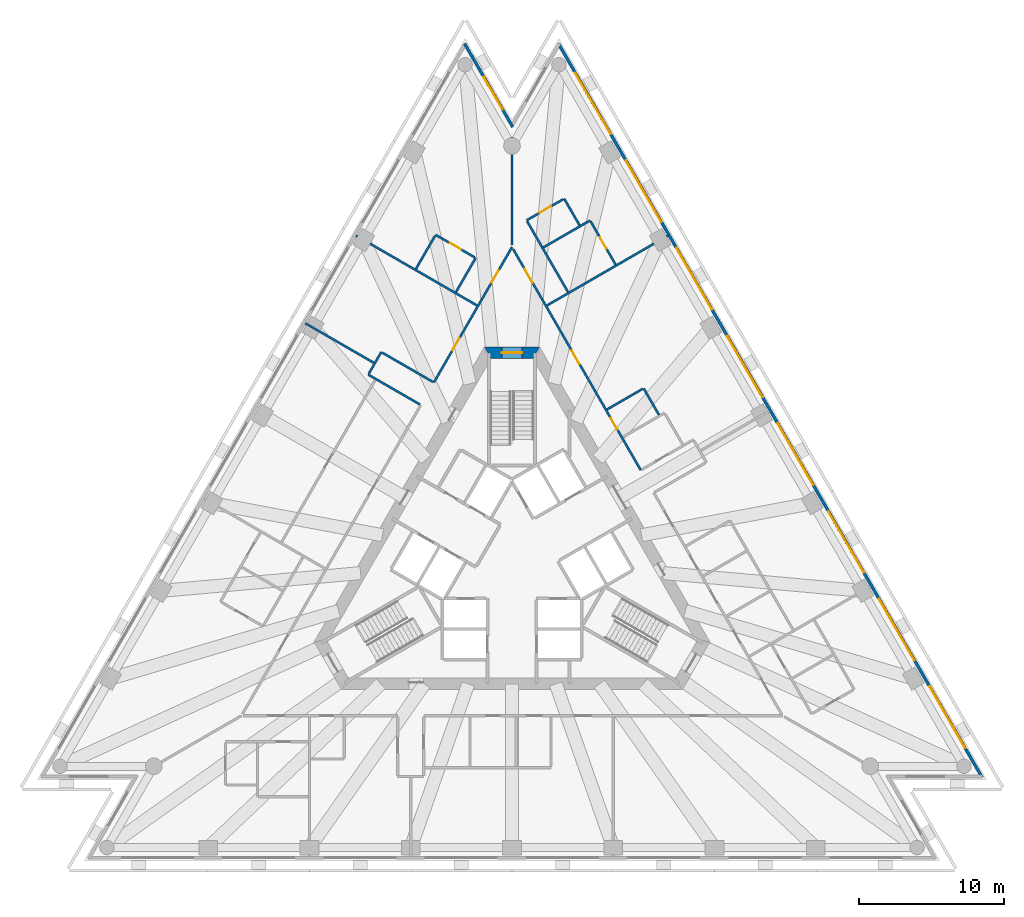
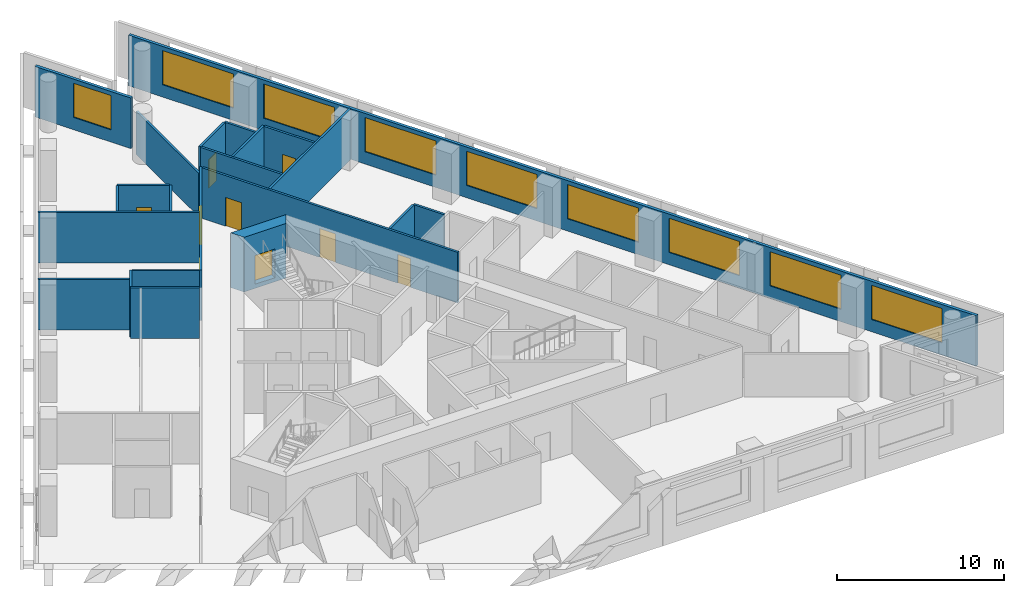
# One storey, part 7 of 10: 22 walls, 9 doors, 9 windows, 18 openings.
"""IFC4 building model written with IfcOpenShell, lengths in metres."""

from ifc_helpers import new_model, si_unit, direction, frame, frame_2d, origin, place, context, subcontext, project, spatial, polyline, rectangle, outline, extrude, material, layer, layer_set, layer_usage, type_object, element, fill, save


model = new_model("IFC4")

# Units and contexts
model_context = context("Model", 3, precision=1e-05, world=origin(), true_north=direction((0.0, 1.0)))
body_context = subcontext(model_context, "Body", "Model", "MODEL_VIEW")
ifc_project = project(units=[si_unit("LENGTHUNIT", "METRE"), si_unit("AREAUNIT", "SQUARE_METRE"), si_unit("VOLUMEUNIT", "CUBIC_METRE"), si_unit("PLANEANGLEUNIT", "RADIAN"), si_unit("MASSUNIT", "GRAM", prefix="KILO")], contexts=[model_context])

# Site, building, storey
site_placement = place(None, origin())
site = spatial("IfcSite", under=ifc_project, at=site_placement, CompositionType="ELEMENT")
building_placement = place(site_placement, origin())
building = spatial("IfcBuilding", under=site, at=building_placement, Name="Triada Interchange Tower", CompositionType="ELEMENT")
storey_placement = place(building_placement, frame((0.0, 0.0, 108.300048828125)))
storey = spatial("IfcBuildingStorey", under=building, at=storey_placement, Name="L24", CompositionType="ELEMENT", Elevation=108.300048828125)

# Wall, opening, door
ifc_material_1 = material(Name="Concrete C60/75", Category="concrete")
ifc_layer_1 = layer(ifc_material_1, 0.800048828125)
ifc_layer_set_1 = layer_set([ifc_layer_1], Name="Core wall B 800")
wall_type_1 = type_object("IfcWallType", Name="Core wall B 800", PredefinedType="SHEAR", material=ifc_layer_set_1)
wall_1_placement = place(storey_placement, frame((1.674072265625, 14.300048828125, -0.300048828125), z_axis=(0.0, 0.0, 1.0), x_axis=(-1.0, 0.0, 0.0)))
wall_1 = element("IfcWall", 1, at=wall_1_placement, inside=storey, type_object=wall_type_1, Name="Core wall WB01 L24", PredefinedType="SHEAR", context=body_context, shape_type="SweptSolid", body=[
    extrude(outline(polyline([(-0.23095703125, -0.39990234375), (1.674072265625, -0.39990234375), (3.5791015625, -0.39990234375), (3.116943359375, 0.39990234375), (1.673828125, 0.39990234375), (0.23095703125, 0.39990234375), (-0.23095703125, -0.39990234375)])), origin(), (0.0, 0.0, 1.0), 4.0),
])
opening_1_placement = place(wall_1_placement, frame((0.97412109375, 0.0, 0.300048828125)))
opening_1 = element("IfcOpeningElement", 2, at=opening_1_placement, cuts=wall_1, Name="Opening D23-43", PredefinedType="OPENING", context=body_context, shape_type="SweptSolid", body=[
    extrude(rectangle(XDim=1.39990234375, YDim=2.10009765625, at=frame_2d((0.699951171875, 1.050048828125))), frame((0.0, 0.409912109375, 0.0), z_axis=(0.0, -1.0, 0.0), x_axis=(1.0, 0.0, 0.0)), (0.0, 0.0, 1.0), 0.820068359375),
])
ifc_material_2 = material(Name="Steel S235 door leaf", Category="steel")
door_type_1 = type_object("IfcDoorType", Name="STAIR DOOR 1400 EI2 90-C5S200", OperationType="DOUBLE_DOOR_SINGLE_SWING", PredefinedType="DOOR", material=ifc_material_2)
door_1_placement = place(opening_1_placement, origin())
door_1 = element("IfcDoor", 3, at=door_1_placement, inside=storey, type_object=door_type_1, Name="Door D23-43 L24", OperationType="DOUBLE_DOOR_SINGLE_SWING", OverallHeight=2.10009765625, OverallWidth=1.39990234375, PredefinedType="DOOR", context=body_context, shape_type="SweptSolid", body=[
    extrude(rectangle(XDim=1.39990234375, YDim=2.10009765625, at=frame_2d((0.699951171875, 1.050048828125))), frame((0.0, 0.02490234375, 0.0), z_axis=(0.0, -1.0, 0.0), x_axis=(1.0, 0.0, 0.0)), (0.0, 0.0, 1.0), 0.050048828125),
])
fill(opening_1, door_1)

# Wall, openings, windows
ifc_material_3 = material(Name="Cement board")
ifc_layer_2 = layer(ifc_material_3, 0.02001953125, Name="Cement board cladding")
ifc_material_4 = material(Name="Sheathing board")
ifc_layer_3 = layer(ifc_material_4, 0.014892578125, Name="Sheathing board")
ifc_material_5 = material(Name="Mineral wool")
ifc_layer_4 = layer(ifc_material_5, 0.14990234375, Name="Mineral wool between steel studs")
ifc_material_6 = material(Name="Gypsum board")
ifc_layer_5 = layer(ifc_material_6, 0.014892578125, Name="Plasterboard lining")
ifc_layer_set_2 = layer_set([ifc_layer_2, ifc_layer_3, ifc_layer_4, ifc_layer_5], Name="External wall 200")
ifc_layer_usage = layer_usage(ifc_layer_set_2, "AXIS2", "POSITIVE", -0.10009765625)
wall_type_2 = type_object("IfcWallType", Name="External wall 200", PredefinedType="ELEMENTEDWALL", material=ifc_layer_set_2)
wall_2_placement = place(storey_placement, frame((32.510009765625, -15.073974609375, 0.0), z_axis=(0.0, 0.0, 1.0), x_axis=(-0.500008323105, 0.866020598384, 0.0)))
wall_2 = element("IfcWall", 4, at=wall_2_placement, inside=storey, type_object=wall_type_2, material=ifc_layer_usage, Name="External wall L24 NE", PredefinedType="ELEMENTEDWALL", context=body_context, shape_type="SweptSolid", body=[
    extrude(rectangle(XDim=58.59912109375, YDim=0.199951171875, at=frame_2d((29.299560546875, 0.0))), origin(), (0.0, 0.0, 1.0), 3.699951171875),
])
opening_2_placement = place(wall_2_placement, frame((2.35400390625, 0.0, 0.89990234375)))
opening_2 = element("IfcOpeningElement", 5, at=opening_2_placement, cuts=wall_2, Name="Opening WB21", PredefinedType="OPENING", context=body_context, shape_type="SweptSolid", body=[
    extrude(rectangle(XDim=4.89990234375, YDim=2.5, at=frame_2d((2.449951171875, 1.25))), frame((0.0, 0.10986328125, 0.0), z_axis=(0.0, -1.0, 0.0), x_axis=(1.0, 0.0, 0.0)), (0.0, 0.0, 1.0), 0.219970703125),
])
opening_3_placement = place(wall_2_placement, frame((9.35498046875, 0.0, 0.89990234375)))
opening_3 = element("IfcOpeningElement", 6, at=opening_3_placement, cuts=wall_2, Name="Opening WB22", PredefinedType="OPENING", context=body_context, shape_type="SweptSolid", body=[
    extrude(rectangle(XDim=4.89990234375, YDim=2.5, at=frame_2d((2.449951171875, 1.25))), frame((0.0, 0.10986328125, 0.0), z_axis=(0.0, -1.0, 0.0), x_axis=(1.0, 0.0, 0.0)), (0.0, 0.0, 1.0), 0.219970703125),
])
opening_4_placement = place(wall_2_placement, frame((16.35693359375, 0.0, 0.89990234375)))
opening_4 = element("IfcOpeningElement", 7, at=opening_4_placement, cuts=wall_2, Name="Opening WB23", PredefinedType="OPENING", context=body_context, shape_type="SweptSolid", body=[
    extrude(rectangle(XDim=4.89990234375, YDim=2.5, at=frame_2d((2.449951171875, 1.25))), frame((0.0, 0.10986328125, 0.0), z_axis=(0.0, -1.0, 0.0), x_axis=(1.0, 0.0, 0.0)), (0.0, 0.0, 1.0), 0.219970703125),
])
opening_5_placement = place(wall_2_placement, frame((23.35888671875, 0.0, 0.89990234375)))
opening_5 = element("IfcOpeningElement", 8, at=opening_5_placement, cuts=wall_2, Name="Opening WB24", PredefinedType="OPENING", context=body_context, shape_type="SweptSolid", body=[
    extrude(rectangle(XDim=4.89990234375, YDim=2.5, at=frame_2d((2.449951171875, 1.25))), frame((0.0, 0.10986328125, 0.0), z_axis=(0.0, -1.0, 0.0), x_axis=(1.0, 0.0, 0.0)), (0.0, 0.0, 1.0), 0.219970703125),
])
opening_6_placement = place(wall_2_placement, frame((30.360107421875, 0.0, 0.89990234375)))
opening_6 = element("IfcOpeningElement", 9, at=opening_6_placement, cuts=wall_2, Name="Opening WB25", PredefinedType="OPENING", context=body_context, shape_type="SweptSolid", body=[
    extrude(rectangle(XDim=4.89990234375, YDim=2.5, at=frame_2d((2.449951171875, 1.25))), frame((0.0, 0.10986328125, 0.0), z_axis=(0.0, -1.0, 0.0), x_axis=(1.0, 0.0, 0.0)), (0.0, 0.0, 1.0), 0.219970703125),
])
opening_7_placement = place(wall_2_placement, frame((37.362060546875, 0.0, 0.89990234375)))
opening_7 = element("IfcOpeningElement", 10, at=opening_7_placement, cuts=wall_2, Name="Opening WB26", PredefinedType="OPENING", context=body_context, shape_type="SweptSolid", body=[
    extrude(rectangle(XDim=4.89990234375, YDim=2.5, at=frame_2d((2.449951171875, 1.25))), frame((0.0, 0.10986328125, 0.0), z_axis=(0.0, -1.0, 0.0), x_axis=(1.0, 0.0, 0.0)), (0.0, 0.0, 1.0), 0.219970703125),
])
opening_8_placement = place(wall_2_placement, frame((44.364013671875, 0.0, 0.89990234375)))
opening_8 = element("IfcOpeningElement", 11, at=opening_8_placement, cuts=wall_2, Name="Opening WB27", PredefinedType="OPENING", context=body_context, shape_type="SweptSolid", body=[
    extrude(rectangle(XDim=4.89990234375, YDim=2.5, at=frame_2d((2.449951171875, 1.25))), frame((0.0, 0.10986328125, 0.0), z_axis=(0.0, -1.0, 0.0), x_axis=(1.0, 0.0, 0.0)), (0.0, 0.0, 1.0), 0.219970703125),
])
opening_9_placement = place(wall_2_placement, frame((51.364990234375, 0.0, 0.89990234375)))
opening_9 = element("IfcOpeningElement", 12, at=opening_9_placement, cuts=wall_2, Name="Opening WB28", PredefinedType="OPENING", context=body_context, shape_type="SweptSolid", body=[
    extrude(rectangle(XDim=4.89990234375, YDim=2.5, at=frame_2d((2.449951171875, 1.25))), frame((0.0, 0.10986328125, 0.0), z_axis=(0.0, -1.0, 0.0), x_axis=(1.0, 0.0, 0.0)), (0.0, 0.0, 1.0), 0.219970703125),
])
ifc_material_7 = material(Name="Double glazed aluminium window", Category="aluminium")
window_type_1 = type_object("IfcWindowType", Name="Ribbon window B face", PartitioningType="SINGLE_PANEL", PredefinedType="WINDOW", material=ifc_material_7)
window_1_placement = place(opening_2_placement, origin())
window_1 = element("IfcWindow", 13, at=window_1_placement, inside=storey, type_object=window_type_1, Name="Window L24 NE 1", OverallHeight=2.5, OverallWidth=4.89990234375, PartitioningType="SINGLE_PANEL", PredefinedType="WINDOW", context=body_context, shape_type="SweptSolid", body=[
    extrude(rectangle(XDim=4.89990234375, YDim=2.5, at=frame_2d((2.449951171875, 1.25))), frame((0.0, 0.030029296875, 0.0), z_axis=(0.0, -1.0, 0.0), x_axis=(1.0, 0.0, 0.0)), (0.0, 0.0, 1.0), 0.06005859375),
])
fill(opening_2, window_1)
window_2_placement = place(opening_3_placement, origin())
window_2 = element("IfcWindow", 14, at=window_2_placement, inside=storey, type_object=window_type_1, Name="Window L24 NE 2", OverallHeight=2.5, OverallWidth=4.89990234375, PartitioningType="SINGLE_PANEL", PredefinedType="WINDOW", context=body_context, shape_type="SweptSolid", body=[
    extrude(rectangle(XDim=4.89990234375, YDim=2.5, at=frame_2d((2.449951171875, 1.25))), frame((0.0, 0.030029296875, 0.0), z_axis=(0.0, -1.0, 0.0), x_axis=(1.0, 0.0, 0.0)), (0.0, 0.0, 1.0), 0.06005859375),
])
fill(opening_3, window_2)
window_3_placement = place(opening_4_placement, origin())
window_3 = element("IfcWindow", 15, at=window_3_placement, inside=storey, type_object=window_type_1, Name="Window L24 NE 3", OverallHeight=2.5, OverallWidth=4.89990234375, PartitioningType="SINGLE_PANEL", PredefinedType="WINDOW", context=body_context, shape_type="SweptSolid", body=[
    extrude(rectangle(XDim=4.89990234375, YDim=2.5, at=frame_2d((2.449951171875, 1.25))), frame((0.0, 0.030029296875, 0.0), z_axis=(0.0, -1.0, 0.0), x_axis=(1.0, 0.0, 0.0)), (0.0, 0.0, 1.0), 0.06005859375),
])
fill(opening_4, window_3)
window_4_placement = place(opening_5_placement, origin())
window_4 = element("IfcWindow", 16, at=window_4_placement, inside=storey, type_object=window_type_1, Name="Window L24 NE 4", OverallHeight=2.5, OverallWidth=4.89990234375, PartitioningType="SINGLE_PANEL", PredefinedType="WINDOW", context=body_context, shape_type="SweptSolid", body=[
    extrude(rectangle(XDim=4.89990234375, YDim=2.5, at=frame_2d((2.449951171875, 1.25))), frame((0.0, 0.030029296875, 0.0), z_axis=(0.0, -1.0, 0.0), x_axis=(1.0, 0.0, 0.0)), (0.0, 0.0, 1.0), 0.06005859375),
])
fill(opening_5, window_4)
window_5_placement = place(opening_6_placement, origin())
window_5 = element("IfcWindow", 17, at=window_5_placement, inside=storey, type_object=window_type_1, Name="Window L24 NE 5", OverallHeight=2.5, OverallWidth=4.89990234375, PartitioningType="SINGLE_PANEL", PredefinedType="WINDOW", context=body_context, shape_type="SweptSolid", body=[
    extrude(rectangle(XDim=4.89990234375, YDim=2.5, at=frame_2d((2.449951171875, 1.25))), frame((0.0, 0.030029296875, 0.0), z_axis=(0.0, -1.0, 0.0), x_axis=(1.0, 0.0, 0.0)), (0.0, 0.0, 1.0), 0.06005859375),
])
fill(opening_6, window_5)
window_6_placement = place(opening_7_placement, origin())
window_6 = element("IfcWindow", 18, at=window_6_placement, inside=storey, type_object=window_type_1, Name="Window L24 NE 6", OverallHeight=2.5, OverallWidth=4.89990234375, PartitioningType="SINGLE_PANEL", PredefinedType="WINDOW", context=body_context, shape_type="SweptSolid", body=[
    extrude(rectangle(XDim=4.89990234375, YDim=2.5, at=frame_2d((2.449951171875, 1.25))), frame((0.0, 0.030029296875, 0.0), z_axis=(0.0, -1.0, 0.0), x_axis=(1.0, 0.0, 0.0)), (0.0, 0.0, 1.0), 0.06005859375),
])
fill(opening_7, window_6)
window_7_placement = place(opening_8_placement, origin())
window_7 = element("IfcWindow", 19, at=window_7_placement, inside=storey, type_object=window_type_1, Name="Window L24 NE 7", OverallHeight=2.5, OverallWidth=4.89990234375, PartitioningType="SINGLE_PANEL", PredefinedType="WINDOW", context=body_context, shape_type="SweptSolid", body=[
    extrude(rectangle(XDim=4.89990234375, YDim=2.5, at=frame_2d((2.449951171875, 1.25))), frame((0.0, 0.030029296875, 0.0), z_axis=(0.0, -1.0, 0.0), x_axis=(1.0, 0.0, 0.0)), (0.0, 0.0, 1.0), 0.06005859375),
])
fill(opening_8, window_7)
window_8_placement = place(opening_9_placement, origin())
window_8 = element("IfcWindow", 20, at=window_8_placement, inside=storey, type_object=window_type_1, Name="Window L24 NE 8", OverallHeight=2.5, OverallWidth=4.89990234375, PartitioningType="SINGLE_PANEL", PredefinedType="WINDOW", context=body_context, shape_type="SweptSolid", body=[
    extrude(rectangle(XDim=4.89990234375, YDim=2.5, at=frame_2d((2.449951171875, 1.25))), frame((0.0, 0.030029296875, 0.0), z_axis=(0.0, -1.0, 0.0), x_axis=(1.0, 0.0, 0.0)), (0.0, 0.0, 1.0), 0.06005859375),
])
fill(opening_9, window_8)

# Wall, opening, window
wall_3_placement = place(storey_placement, frame((0.044921875, 29.9150390625, 0.0), z_axis=(0.0, 0.0, 1.0), x_axis=(-0.49999681972, 0.866027239912, 0.0)))
wall_3 = element("IfcWall", 21, at=wall_3_placement, inside=storey, type_object=wall_type_2, material=ifc_layer_usage, Name="External wall L24 N-2", PredefinedType="ELEMENTEDWALL", context=body_context, shape_type="SweptSolid", body=[
    extrude(rectangle(XDim=6.64990234375, YDim=0.199951171875, at=frame_2d((3.324951171875, 0.0))), origin(), (0.0, 0.0, 1.0), 3.699951171875),
])
opening_10_placement = place(wall_3_placement, frame((1.389892578125, 0.0, 0.89990234375)))
opening_10 = element("IfcOpeningElement", 22, at=opening_10_placement, cuts=wall_3, Name="Opening WB30", PredefinedType="OPENING", context=body_context, shape_type="SweptSolid", body=[
    extrude(rectangle(XDim=2.60009765625, YDim=2.5, at=frame_2d((1.300048828125, 1.25))), frame((0.0, 0.10986328125, 0.0), z_axis=(0.0, -1.0, 0.0), x_axis=(1.0, 0.0, 0.0)), (0.0, 0.0, 1.0), 0.219970703125),
])
window_type_2 = type_object("IfcWindowType", Name="Ribbon window B pocket", PartitioningType="SINGLE_PANEL", PredefinedType="WINDOW", material=ifc_material_7)
window_9_placement = place(opening_10_placement, origin())
window_9 = element("IfcWindow", 23, at=window_9_placement, inside=storey, type_object=window_type_2, Name="Window L24 N-2 1", OverallHeight=2.5, OverallWidth=2.60009765625, PartitioningType="SINGLE_PANEL", PredefinedType="WINDOW", context=body_context, shape_type="SweptSolid", body=[
    extrude(rectangle(XDim=2.60009765625, YDim=2.5, at=frame_2d((1.300048828125, 1.25))), frame((0.0, 0.030029296875, 0.0), z_axis=(0.0, -1.0, 0.0), x_axis=(1.0, 0.0, 0.0)), (0.0, 0.0, 1.0), 0.06005859375),
])
fill(opening_10, window_9)

# Wall, openings, doors
ifc_material_8 = material(Name="Gypsum board partition")
ifc_layer_6 = layer(ifc_material_8, 0.14990234375)
ifc_layer_set_3 = layer_set([ifc_layer_6], Name="PARTITION 150 EI 180")
wall_type_3 = type_object("IfcWallType", Name="PARTITION 150 EI 180", PredefinedType="PARTITIONING", material=ifc_layer_set_3)
wall_4_placement = place(storey_placement, frame((-5.402099609375, 12.243896484375, 0.0), z_axis=(0.0, 0.0, 1.0), x_axis=(0.500020433321, 0.86601360628, 0.0)))
wall_4 = element("IfcWall", 24, at=wall_4_placement, inside=storey, type_object=wall_type_3, Name="Wall L23 7", PredefinedType="PARTITIONING", context=body_context, shape_type="SweptSolid", body=[
    extrude(rectangle(XDim=10.8037109375, YDim=0.14990234375, at=frame_2d((5.40185546875, 0.0))), origin(), (0.0, 0.0, 1.0), 3.699951171875),
])
opening_11_placement = place(wall_4_placement, frame((7.9541015625, 0.0, 0.0)))
opening_11 = element("IfcOpeningElement", 25, at=opening_11_placement, cuts=wall_4, Name="Opening D23-34", PredefinedType="OPENING", context=body_context, shape_type="SweptSolid", body=[
    extrude(rectangle(XDim=1.0, YDim=2.10009765625, at=frame_2d((0.5, 1.050048828125))), frame((0.0, 0.0849609375, 0.0), z_axis=(0.0, -1.0, 0.0), x_axis=(1.0, 0.0, 0.0)), (0.0, 0.0, 1.0), 0.169921875),
])
opening_12_placement = place(wall_4_placement, frame((2.551025390625, 0.0, 0.0)))
opening_12 = element("IfcOpeningElement", 26, at=opening_12_placement, cuts=wall_4, Name="Opening D23-36", PredefinedType="OPENING", context=body_context, shape_type="SweptSolid", body=[
    extrude(rectangle(XDim=1.0, YDim=2.10009765625, at=frame_2d((0.5, 1.050048828125))), frame((0.0, 0.0849609375, 0.0), z_axis=(0.0, -1.0, 0.0), x_axis=(1.0, 0.0, 0.0)), (0.0, 0.0, 1.0), 0.169921875),
])
door_type_2 = type_object("IfcDoorType", Name="ROOM DOOR 1000 EI2 90-C5S200", OperationType="NOTDEFINED", PredefinedType="DOOR", material=ifc_material_2)
door_2_placement = place(opening_11_placement, origin())
door_2 = element("IfcDoor", 27, at=door_2_placement, inside=storey, type_object=door_type_2, Name="Door D23-34 L24", OperationType="SINGLE_SWING_RIGHT", OverallHeight=2.10009765625, OverallWidth=1.0, PredefinedType="DOOR", context=body_context, shape_type="SweptSolid", body=[
    extrude(rectangle(XDim=1.0, YDim=2.10009765625, at=frame_2d((0.5, 1.050048828125))), frame((0.0, 0.02490234375, 0.0), z_axis=(0.0, -1.0, 0.0), x_axis=(1.0, 0.0, 0.0)), (0.0, 0.0, 1.0), 0.050048828125),
])
fill(opening_11, door_2)
door_3_placement = place(opening_12_placement, origin())
door_3 = element("IfcDoor", 28, at=door_3_placement, inside=storey, type_object=door_type_2, Name="Door D23-36 L24", OperationType="SINGLE_SWING_LEFT", OverallHeight=2.10009765625, OverallWidth=1.0, PredefinedType="DOOR", context=body_context, shape_type="SweptSolid", body=[
    extrude(rectangle(XDim=1.0, YDim=2.10009765625, at=frame_2d((0.5, 1.050048828125))), frame((0.0, 0.02490234375, 0.0), z_axis=(0.0, -1.0, 0.0), x_axis=(1.0, 0.0, 0.0)), (0.0, 0.0, 1.0), 0.050048828125),
])
fill(opening_12, door_3)

# Walls
wall_5_placement = place(storey_placement, frame((-14.284912109375, 16.33203125, 0.0), z_axis=(0.0, 0.0, 1.0), x_axis=(0.86601735395, -0.500013942463, 0.0)))
element("IfcWall", 29, at=wall_5_placement, inside=storey, type_object=wall_type_3, Name="Wall L23 8", PredefinedType="PARTITIONING", context=body_context, shape_type="SweptSolid", body=[
    extrude(rectangle(XDim=5.461669921875, YDim=0.14990234375, at=frame_2d((2.73095703125, 0.0))), origin(), (0.0, 0.0, 1.0), 3.699951171875),
])
wall_6_placement = place(storey_placement, frame((-9.93994140625, 12.783935546875, 0.0), z_axis=(0.0, 0.0, 1.0), x_axis=(0.866056461986, -0.499946201759, 0.0)))
element("IfcWall", 30, at=wall_6_placement, inside=storey, type_object=wall_type_3, Name="Wall L23 12", PredefinedType="PARTITIONING", context=body_context, shape_type="SweptSolid", body=[
    extrude(rectangle(XDim=4.12451171875, YDim=0.14990234375, at=frame_2d((2.062255859375, 0.0))), origin(), (0.0, 0.0, 1.0), 3.699951171875),
])
wall_7_placement = place(storey_placement, frame((-9.902099609375, 12.84912109375, 0.0), z_axis=(0.0, 0.0, 1.0), x_axis=(0.499808228569, 0.866136094765, 0.0)))
element("IfcWall", 31, at=wall_7_placement, inside=storey, type_object=wall_type_3, Name="Wall L23 13", PredefinedType="PARTITIONING", context=body_context, shape_type="SweptSolid", body=[
    extrude(rectangle(XDim=1.724853515625, YDim=0.14990234375, at=frame_2d((0.8623046875, 0.0))), origin(), (0.0, 0.0, 1.0), 3.699951171875),
])
wall_8_placement = place(storey_placement, frame((-10.783935546875, 22.39599609375, 0.0), z_axis=(0.0, 0.0, 1.0), x_axis=(0.86603284879, -0.49998710465, 0.0)))
element("IfcWall", 32, at=wall_8_placement, inside=storey, type_object=wall_type_3, Name="Wall L23 16", PredefinedType="PARTITIONING", context=body_context, shape_type="SweptSolid", body=[
    extrude(rectangle(XDim=9.662353515625, YDim=0.14990234375, at=frame_2d((4.8310546875, 0.0))), origin(), (0.0, 0.0, 1.0), 3.699951171875),
])
wall_9_placement = place(storey_placement, frame((-8.97509765625, 14.304931640625, 0.0), z_axis=(0.0, 0.0, 1.0), x_axis=(0.866120332886, -0.499835541916, 0.0)))
element("IfcWall", 33, at=wall_9_placement, inside=storey, type_object=wall_type_3, Name="Wall L23 17", PredefinedType="PARTITIONING", context=body_context, shape_type="SweptSolid", body=[
    extrude(rectangle(XDim=4.049072265625, YDim=0.14990234375, at=frame_2d((2.0244140625, 0.0))), origin(), (0.0, 0.0, 1.0), 3.699951171875),
])
wall_10_placement = place(storey_placement, frame((0.0, 21.75, 0.0), z_axis=(0.0, 0.0, 1.0), x_axis=(0.0, 1.0, 0.0)))
element("IfcWall", 34, at=wall_10_placement, inside=storey, type_object=wall_type_3, Name="Wall L23 22", PredefinedType="PARTITIONING", context=body_context, shape_type="SweptSolid", body=[
    extrude(rectangle(XDim=7.462890625, YDim=0.14990234375, at=frame_2d((3.7314453125, 0.0))), origin(), (0.0, 0.0, 1.0), 3.14990234375),
])

# Wall, openings, doors
wall_11_placement = place(storey_placement, frame((0.075927734375, 21.468017578125, 0.0), z_axis=(0.0, 0.0, 1.0), x_axis=(0.500024127084, -0.866011473558, 0.0)))
wall_11 = element("IfcWall", 35, at=wall_11_placement, inside=storey, type_object=wall_type_3, Name="Wall L23 23", PredefinedType="PARTITIONING", context=body_context, shape_type="SweptSolid", body=[
    extrude(rectangle(XDim=17.653564453125, YDim=0.14990234375, at=frame_2d((8.82666015625, 0.0))), origin(), (0.0, 0.0, 1.0), 3.699951171875),
])
opening_13_placement = place(wall_11_placement, frame((8.10400390625, 0.0, 0.0)))
opening_13 = element("IfcOpeningElement", 36, at=opening_13_placement, cuts=wall_11, Name="Opening D23-28", PredefinedType="OPENING", context=body_context, shape_type="SweptSolid", body=[
    extrude(rectangle(XDim=1.10009765625, YDim=2.10009765625, at=frame_2d((0.550048828125, 1.050048828125))), frame((0.0, 0.0849609375, 0.0), z_axis=(0.0, -1.0, 0.0), x_axis=(1.0, 0.0, 0.0)), (0.0, 0.0, 1.0), 0.169921875),
])
opening_14_placement = place(wall_11_placement, frame((13.50390625, 0.0, 0.0)))
opening_14 = element("IfcOpeningElement", 37, at=opening_14_placement, cuts=wall_11, Name="Opening D23-30", PredefinedType="OPENING", context=body_context, shape_type="SweptSolid", body=[
    extrude(rectangle(XDim=0.89990234375, YDim=2.10009765625, at=frame_2d((0.449951171875, 1.050048828125))), frame((0.0, 0.0849609375, 0.0), z_axis=(0.0, -1.0, 0.0), x_axis=(1.0, 0.0, 0.0)), (0.0, 0.0, 1.0), 0.169921875),
])
opening_15_placement = place(wall_11_placement, frame((1.60009765625, 0.0, 0.0)))
opening_15 = element("IfcOpeningElement", 38, at=opening_15_placement, cuts=wall_11, Name="Opening D23-31", PredefinedType="OPENING", context=body_context, shape_type="SweptSolid", body=[
    extrude(rectangle(XDim=1.10009765625, YDim=2.10009765625, at=frame_2d((0.550048828125, 1.050048828125))), frame((0.0, 0.0849609375, 0.0), z_axis=(0.0, -1.0, 0.0), x_axis=(1.0, 0.0, 0.0)), (0.0, 0.0, 1.0), 0.169921875),
])
door_type_3 = type_object("IfcDoorType", Name="SERVICE DOOR 900 EI2 90-C5S200", OperationType="NOTDEFINED", PredefinedType="DOOR", material=ifc_material_2)
door_4_placement = place(opening_14_placement, origin())
door_4 = element("IfcDoor", 39, at=door_4_placement, inside=storey, type_object=door_type_3, Name="Door D23-30 L24", OperationType="SINGLE_SWING_RIGHT", OverallHeight=2.10009765625, OverallWidth=0.89990234375, PredefinedType="DOOR", context=body_context, shape_type="SweptSolid", body=[
    extrude(rectangle(XDim=0.89990234375, YDim=2.10009765625, at=frame_2d((0.449951171875, 1.050048828125))), frame((0.0, 0.02490234375, 0.0), z_axis=(0.0, -1.0, 0.0), x_axis=(1.0, 0.0, 0.0)), (0.0, 0.0, 1.0), 0.050048828125),
])
fill(opening_14, door_4)
door_type_4 = type_object("IfcDoorType", Name="TENANCY ENTRANCE DOOR 1100 EI2 90-C5S200", OperationType="NOTDEFINED", PredefinedType="DOOR", material=ifc_material_2)
door_5_placement = place(opening_13_placement, origin())
door_5 = element("IfcDoor", 40, at=door_5_placement, inside=storey, type_object=door_type_4, Name="Door D23-28 L24", OperationType="SINGLE_SWING_RIGHT", OverallHeight=2.10009765625, OverallWidth=1.10009765625, PredefinedType="DOOR", context=body_context, shape_type="SweptSolid", body=[
    extrude(rectangle(XDim=1.10009765625, YDim=2.10009765625, at=frame_2d((0.550048828125, 1.050048828125))), frame((0.0, 0.02490234375, 0.0), z_axis=(0.0, -1.0, 0.0), x_axis=(1.0, 0.0, 0.0)), (0.0, 0.0, 1.0), 0.050048828125),
])
fill(opening_13, door_5)
door_6_placement = place(opening_15_placement, origin())
door_6 = element("IfcDoor", 41, at=door_6_placement, inside=storey, type_object=door_type_4, Name="Door D23-31 L24", OperationType="SINGLE_SWING_LEFT", OverallHeight=2.10009765625, OverallWidth=1.10009765625, PredefinedType="DOOR", context=body_context, shape_type="SweptSolid", body=[
    extrude(rectangle(XDim=1.10009765625, YDim=2.10009765625, at=frame_2d((0.550048828125, 1.050048828125))), frame((0.0, 0.02490234375, 0.0), z_axis=(0.0, -1.0, 0.0), x_axis=(1.0, 0.0, 0.0)), (0.0, 0.0, 1.0), 0.050048828125),
])
fill(opening_15, door_6)

# Walls
wall_12_placement = place(storey_placement, frame((2.416015625, 17.56494140625, 0.0), z_axis=(0.0, 0.0, 1.0), x_axis=(0.86603284879, 0.49998710465, 0.0)))
element("IfcWall", 42, at=wall_12_placement, inside=storey, type_object=wall_type_3, Name="Wall L23 27", PredefinedType="PARTITIONING", context=body_context, shape_type="SweptSolid", body=[
    extrude(rectangle(XDim=9.662353515625, YDim=0.14990234375, at=frame_2d((4.8310546875, 0.0))), origin(), (0.0, 0.0, 1.0), 3.699951171875),
])
wall_13_placement = place(storey_placement, frame((9.10107421875, 11.8359375, 0.0), z_axis=(0.0, 0.0, 1.0), x_axis=(0.500266112279, -0.865871709265, 0.0)))
element("IfcWall", 43, at=wall_13_placement, inside=storey, type_object=wall_type_3, Name="Wall L23 28", PredefinedType="PARTITIONING", context=body_context, shape_type="SweptSolid", body=[
    extrude(rectangle(XDim=2.124755859375, YDim=0.14990234375, at=frame_2d((1.0625, 0.0))), origin(), (0.0, 0.0, 1.0), 3.699951171875),
])
wall_14_placement = place(storey_placement, frame((6.568115234375, 10.3740234375, 0.0), z_axis=(0.0, 0.0, 1.0), x_axis=(0.865982980443, 0.500073472185, 0.0)))
element("IfcWall", 44, at=wall_14_placement, inside=storey, type_object=wall_type_3, Name="Wall L23 29", PredefinedType="PARTITIONING", context=body_context, shape_type="SweptSolid", body=[
    extrude(rectangle(XDim=2.849609375, YDim=0.14990234375, at=frame_2d((1.4248046875, 0.0))), origin(), (0.0, 0.0, 1.0), 3.699951171875),
])
ifc_layer_7 = layer(ifc_material_8, 0.14990234375)
ifc_layer_set_4 = layer_set([ifc_layer_7], Name="PARTITION 150 EI 90")
wall_type_4 = type_object("IfcWallType", Name="PARTITION 150 EI 90", PredefinedType="PARTITIONING", material=ifc_layer_set_4)
wall_15_placement = place(storey_placement, frame((-3.873046875, 18.491943359375, 0.0), z_axis=(0.0, 0.0, 1.0), x_axis=(0.500117899823, 0.865957323588, 0.0)))
element("IfcWall", 45, at=wall_15_placement, inside=storey, type_object=wall_type_4, Name="Wall L23 45", PredefinedType="PARTITIONING", context=body_context, shape_type="SweptSolid", body=[
    extrude(rectangle(XDim=2.725341796875, YDim=0.14990234375, at=frame_2d((1.36279296875, 0.0))), origin(), (0.0, 0.0, 1.0), 3.699951171875),
])

# Wall, opening, door
wall_16_placement = place(storey_placement, frame((-5.281005859375, 22.451904296875, 0.0), z_axis=(0.0, 0.0, 1.0), x_axis=(0.866071089505, -0.499920861661, 0.0)))
wall_16 = element("IfcWall", 46, at=wall_16_placement, inside=storey, type_object=wall_type_4, Name="Wall L23 53", PredefinedType="PARTITIONING", context=body_context, shape_type="SweptSolid", body=[
    extrude(rectangle(XDim=3.12451171875, YDim=0.14990234375, at=frame_2d((1.562255859375, 0.0))), origin(), (0.0, 0.0, 1.0), 3.699951171875),
])
opening_16_placement = place(wall_16_placement, frame((1.14892578125, 0.0, 0.0)))
opening_16 = element("IfcOpeningElement", 47, at=opening_16_placement, cuts=wall_16, Name="Opening D23-35", PredefinedType="OPENING", context=body_context, shape_type="SweptSolid", body=[
    extrude(rectangle(XDim=0.89990234375, YDim=2.10009765625, at=frame_2d((0.449951171875, 1.050048828125))), frame((0.0, 0.0849609375, 0.0), z_axis=(0.0, -1.0, 0.0), x_axis=(1.0, 0.0, 0.0)), (0.0, 0.0, 1.0), 0.169921875),
])
door_type_5 = type_object("IfcDoorType", Name="ROOM DOOR 900 EI2 45-C5S200", OperationType="NOTDEFINED", PredefinedType="DOOR", material=ifc_material_2)
door_7_placement = place(opening_16_placement, origin())
door_7 = element("IfcDoor", 48, at=door_7_placement, inside=storey, type_object=door_type_5, Name="Door D23-35 L24", OperationType="SINGLE_SWING_LEFT", OverallHeight=2.10009765625, OverallWidth=0.89990234375, PredefinedType="DOOR", context=body_context, shape_type="SweptSolid", body=[
    extrude(rectangle(XDim=0.89990234375, YDim=2.10009765625, at=frame_2d((0.449951171875, 1.050048828125))), frame((0.0, 0.02490234375, 0.0), z_axis=(0.0, -1.0, 0.0), x_axis=(1.0, 0.0, 0.0)), (0.0, 0.0, 1.0), 0.050048828125),
])
fill(opening_16, door_7)

# Walls
wall_17_placement = place(storey_placement, frame((-6.64404296875, 20.092041015625, 0.0), z_axis=(0.0, 0.0, 1.0), x_axis=(0.499993606316, 0.866029095148, 0.0)))
element("IfcWall", 49, at=wall_17_placement, inside=storey, type_object=wall_type_4, Name="Wall L23 54", PredefinedType="PARTITIONING", context=body_context, shape_type="SweptSolid", body=[
    extrude(rectangle(XDim=2.64990234375, YDim=0.14990234375, at=frame_2d((1.324951171875, 0.0))), origin(), (0.0, 0.0, 1.0), 3.699951171875),
])
wall_18_placement = place(storey_placement, frame((2.175048828125, 21.5830078125, 0.0), z_axis=(0.0, 0.0, 1.0), x_axis=(0.866068800491, 0.499924827166, 0.0)))
element("IfcWall", 50, at=wall_18_placement, inside=storey, type_object=wall_type_4, Name="Wall L23 55", PredefinedType="PARTITIONING", context=body_context, shape_type="SweptSolid", body=[
    extrude(rectangle(XDim=3.724609375, YDim=0.14990234375, at=frame_2d((1.8623046875, 0.0))), origin(), (0.0, 0.0, 1.0), 3.699951171875),
])
wall_19_placement = place(storey_placement, frame((3.60791015625, 24.949951171875, 0.0), z_axis=(0.0, 0.0, 1.0), x_axis=(0.500266112279, -0.865871709265, 0.0)))
element("IfcWall", 51, at=wall_19_placement, inside=storey, type_object=wall_type_4, Name="Wall L23 56", PredefinedType="PARTITIONING", context=body_context, shape_type="SweptSolid", body=[
    extrude(rectangle(XDim=2.124755859375, YDim=0.14990234375, at=frame_2d((1.0625, 0.0))), origin(), (0.0, 0.0, 1.0), 3.699951171875),
])

# Wall, opening, door
wall_20_placement = place(storey_placement, frame((1.010009765625, 23.449951171875, 0.0), z_axis=(0.0, 0.0, 1.0), x_axis=(0.865917290158, 0.500187211558, 0.0)))
wall_20 = element("IfcWall", 52, at=wall_20_placement, inside=storey, type_object=wall_type_4, Name="Wall L23 57", PredefinedType="PARTITIONING", context=body_context, shape_type="SweptSolid", body=[
    extrude(rectangle(XDim=2.92529296875, YDim=0.14990234375, at=frame_2d((1.462646484375, 0.0))), origin(), (0.0, 0.0, 1.0), 3.699951171875),
])
opening_17_placement = place(wall_20_placement, frame((1.050048828125, 0.0, 0.0)))
opening_17 = element("IfcOpeningElement", 53, at=opening_17_placement, cuts=wall_20, Name="Opening D23-33", PredefinedType="OPENING", context=body_context, shape_type="SweptSolid", body=[
    extrude(rectangle(XDim=0.89990234375, YDim=2.10009765625, at=frame_2d((0.449951171875, 1.050048828125))), frame((0.0, 0.0849609375, 0.0), z_axis=(0.0, -1.0, 0.0), x_axis=(1.0, 0.0, 0.0)), (0.0, 0.0, 1.0), 0.169921875),
])
door_type_6 = type_object("IfcDoorType", Name="SERVICE DOOR 900 EI2 45-C5S200", OperationType="NOTDEFINED", PredefinedType="DOOR", material=ifc_material_2)
door_8_placement = place(opening_17_placement, origin())
door_8 = element("IfcDoor", 54, at=door_8_placement, inside=storey, type_object=door_type_6, Name="Door D23-33 L24", OperationType="SINGLE_SWING_RIGHT", OverallHeight=2.10009765625, OverallWidth=0.89990234375, PredefinedType="DOOR", context=body_context, shape_type="SweptSolid", body=[
    extrude(rectangle(XDim=0.89990234375, YDim=2.10009765625, at=frame_2d((0.449951171875, 1.050048828125))), frame((0.0, 0.02490234375, 0.0), z_axis=(0.0, -1.0, 0.0), x_axis=(1.0, 0.0, 0.0)), (0.0, 0.0, 1.0), 0.050048828125),
])
fill(opening_17, door_8)

# Wall
wall_21_placement = place(storey_placement, frame((1.048095703125, 23.385009765625, 0.0), z_axis=(0.0, 0.0, 1.0), x_axis=(0.499991765245, -0.86603015807, 0.0)))
element("IfcWall", 55, at=wall_21_placement, inside=storey, type_object=wall_type_4, Name="Wall L23 58", PredefinedType="PARTITIONING", context=body_context, shape_type="SweptSolid", body=[
    extrude(rectangle(XDim=5.64990234375, YDim=0.14990234375, at=frame_2d((2.824951171875, 0.0))), origin(), (0.0, 0.0, 1.0), 3.699951171875),
])

# Wall, opening, door
wall_22_placement = place(storey_placement, frame((5.43896484375, 23.3798828125, 0.0), z_axis=(0.0, 0.0, 1.0), x_axis=(0.500020560727, -0.866013532718, 0.0)))
wall_22 = element("IfcWall", 56, at=wall_22_placement, inside=storey, type_object=wall_type_4, Name="Wall L23 60", PredefinedType="PARTITIONING", context=body_context, shape_type="SweptSolid", body=[
    extrude(rectangle(XDim=3.449951171875, YDim=0.14990234375, at=frame_2d((1.72509765625, 0.0))), origin(), (0.0, 0.0, 1.0), 3.699951171875),
])
opening_18_placement = place(wall_22_placement, frame((1.27490234375, 0.0, 0.0)))
opening_18 = element("IfcOpeningElement", 57, at=opening_18_placement, cuts=wall_22, Name="Opening D23-32", PredefinedType="OPENING", context=body_context, shape_type="SweptSolid", body=[
    extrude(rectangle(XDim=0.89990234375, YDim=2.10009765625, at=frame_2d((0.449951171875, 1.050048828125))), frame((0.0, 0.0849609375, 0.0), z_axis=(0.0, -1.0, 0.0), x_axis=(1.0, 0.0, 0.0)), (0.0, 0.0, 1.0), 0.169921875),
])
door_9_placement = place(opening_18_placement, origin())
door_9 = element("IfcDoor", 58, at=door_9_placement, inside=storey, type_object=door_type_5, Name="Door D23-32 L24", OperationType="SINGLE_SWING_LEFT", OverallHeight=2.10009765625, OverallWidth=0.89990234375, PredefinedType="DOOR", context=body_context, shape_type="SweptSolid", body=[
    extrude(rectangle(XDim=0.89990234375, YDim=2.10009765625, at=frame_2d((0.449951171875, 1.050048828125))), frame((0.0, 0.02490234375, 0.0), z_axis=(0.0, -1.0, 0.0), x_axis=(1.0, 0.0, 0.0)), (0.0, 0.0, 1.0), 0.050048828125),
])
fill(opening_18, door_9)

save(model, "model.ifc")
